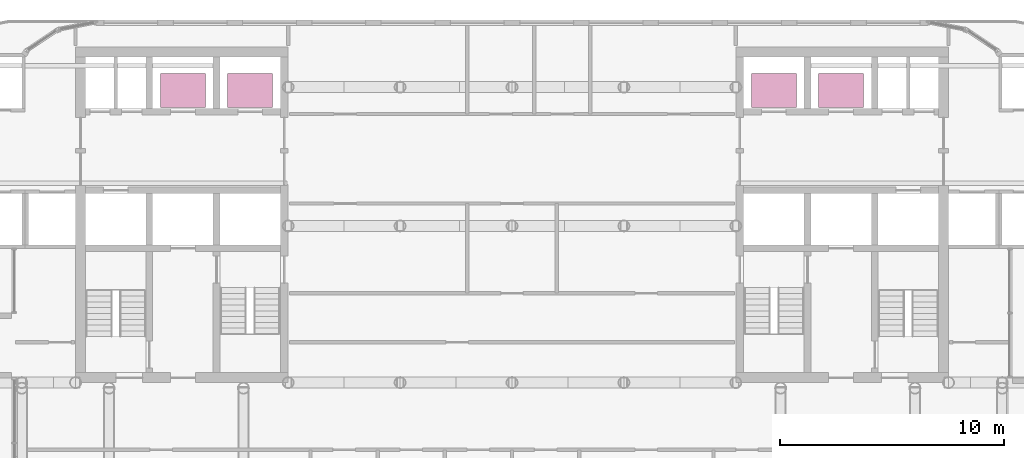
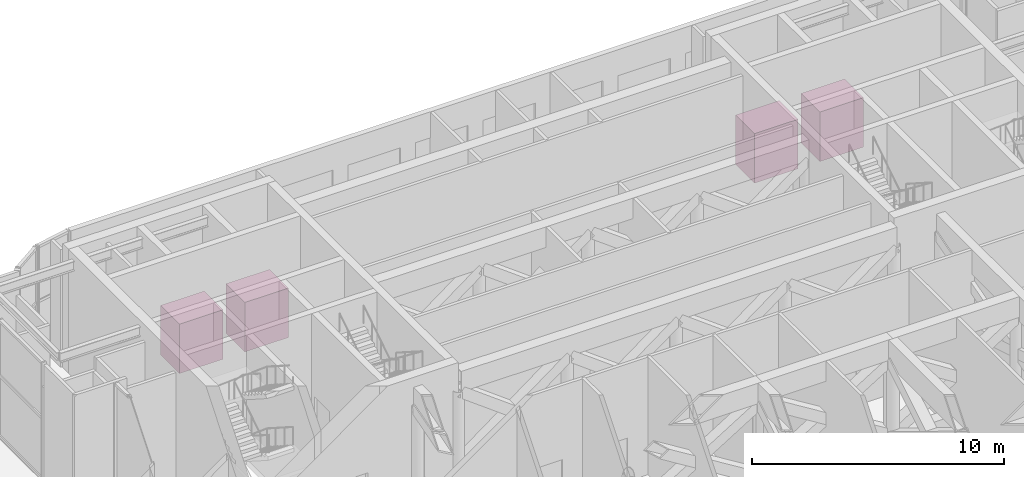
# One storey, part 20 of 21: 4 transport elements.
"""IFC4 building model written with IfcOpenShell, lengths in metres."""

from ifc_helpers import new_model, si_unit, direction, frame, origin, origin_2d, place, context, subcontext, project, spatial, rectangle, extrude, material, type_object, element, save


model = new_model("IFC4")

# Units and contexts
model_context = context("Model", 3, precision=1e-05, world=origin(), true_north=direction((0.0, 1.0)))
body_context = subcontext(model_context, "Body", "Model", "MODEL_VIEW")
ifc_project = project(units=[si_unit("LENGTHUNIT", "METRE"), si_unit("AREAUNIT", "SQUARE_METRE"), si_unit("VOLUMEUNIT", "CUBIC_METRE"), si_unit("PLANEANGLEUNIT", "RADIAN"), si_unit("MASSUNIT", "GRAM", prefix="KILO")], contexts=[model_context])

# Site, building, storey
site_placement = place(None, origin())
site = spatial("IfcSite", under=ifc_project, at=site_placement, CompositionType="ELEMENT")
building_placement = place(site_placement, origin())
building = spatial("IfcBuilding", under=site, at=building_placement, Name="Torana Hotel and Residences", CompositionType="ELEMENT")
storey_placement = place(building_placement, frame((0.0, 0.0, 246.60009765625)))
storey = spatial("IfcBuildingStorey", under=building, at=storey_placement, Name="L65", CompositionType="ELEMENT", Elevation=246.60009765625)

# Transport elements
ifc_material = material(Name="Stainless steel 316", Category="steel")
transport_element_type = type_object("IfcTransportElementType", Name="PASSENGER LIFT CAR 2000x1500", PredefinedType="ELEVATOR", material=ifc_material)
for number, where, z_axis, x_axis, name in (
    (1, (-11.699951171875, -1.949951171875, 0.0), (0.0, 0.0, 1.0), (1.0, 0.0, 0.0), "Passenger lift H1"),
    (2, (-14.699951171875, -1.949951171875, 0.0), (0.0, 0.0, 1.0), (1.0, 0.0, 0.0), "Passenger lift H2"),
    (3, (11.699951171875, -1.949951171875, 0.0), (0.0, 0.0, 1.0), (1.0, 0.0, 0.0), "Passenger lift H3"),
    (4, (14.699951171875, -1.949951171875, 0.0), (0.0, 0.0, 1.0), (1.0, 0.0, 0.0), "Passenger lift H4"),
):
    element("IfcTransportElement", number, at=place(storey_placement, frame(where, z_axis=z_axis, x_axis=x_axis)), inside=storey, type_object=transport_element_type, Name=name, PredefinedType="ELEVATOR", context=body_context, shape_type="SweptSolid", body=[
        extrude(rectangle(XDim=2.0, YDim=1.5, at=origin_2d()), origin(), (0.0, 0.0, 1.0), 2.39990234375),
    ])

save(model, "model.ifc")
